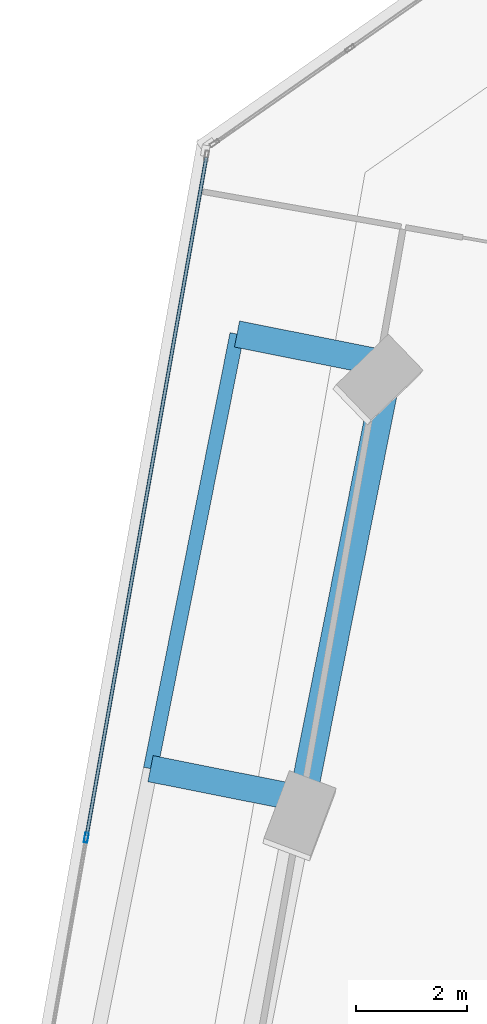
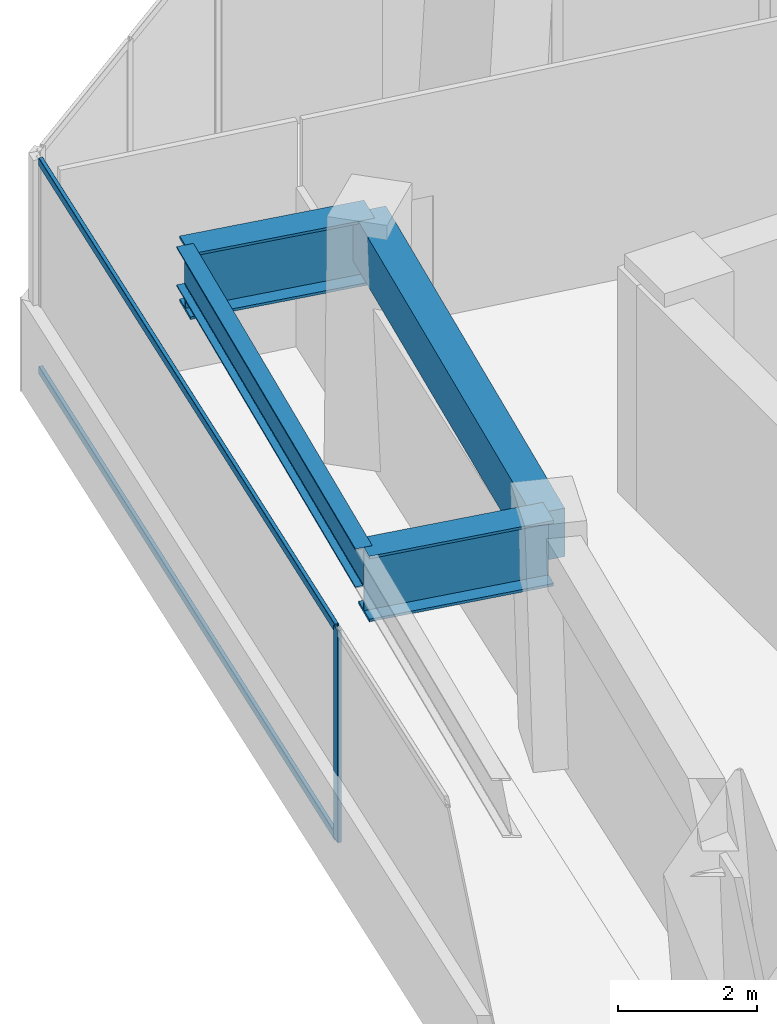
# One storey, part 6 of 24: 4 beams, 3 members, 1 element without a shape of its own.
"""IFC4 building model written with IfcOpenShell, lengths in metres."""

from ifc_helpers import new_model, si_unit, direction, frame, origin, origin_2d, place, context, subcontext, project, spatial, rectangle, hollow_rectangle, i_section, extrude, source, transform, mapped, material, material_profile, profile_set, type_object, element, aggregate, save


model = new_model("IFC4")

# Units and contexts
model_context = context("Model", 3, precision=1e-05, world=origin(), true_north=direction((0.0, 1.0)))
body_context = subcontext(model_context, "Body", "Model", "MODEL_VIEW")
ifc_project = project(units=[si_unit("LENGTHUNIT", "METRE"), si_unit("AREAUNIT", "SQUARE_METRE"), si_unit("VOLUMEUNIT", "CUBIC_METRE"), si_unit("PLANEANGLEUNIT", "RADIAN"), si_unit("MASSUNIT", "GRAM", prefix="KILO")], contexts=[model_context])

# Site, building, storey
site_placement = place(None, origin())
site = spatial("IfcSite", under=ifc_project, at=site_placement, CompositionType="ELEMENT")
building_placement = place(site_placement, origin())
building = spatial("IfcBuilding", under=site, at=building_placement, Name="Torre Montelarca", CompositionType="ELEMENT")
storey_placement = place(building_placement, frame((0.0, 0.0, 79.0)))
storey = spatial("IfcBuildingStorey", under=building, at=storey_placement, Name="L17", CompositionType="ELEMENT", Elevation=79.0)

# Beams
ifc_material_1 = material(Name="Concrete C55/67", Category="concrete")
ifc_material_profile_1 = material_profile(ifc_material_1, rectangle(XDim=0.5, YDim=0.85009765625, at=origin_2d()), Name="RCB500X850", Category="concrete")
ifc_profile_set_1 = profile_set([ifc_material_profile_1], Name="Concrete C55/67")
beam_type_1 = type_object("IfcBeamType", Name="BM-SP-RC850-EXT", PredefinedType="SPANDREL", material=ifc_profile_set_1)
shared_shape_1 = source(origin(), body_context, "Body", "SweptSolid", [
    extrude(rectangle(XDim=0.5, YDim=0.85009765625, at=origin_2d()), origin(), (0.0, 0.0, 1.0), 7.999755859375),
])
beam_1_placement = place(storey_placement, frame((4.973876953125, 35.287353515625, 3.534912109375), z_axis=(0.195071367562, 0.980789050488, 0.0), x_axis=(-0.980789050488, 0.195071367562, 0.0)))
element("IfcBeam", 1, at=beam_1_placement, inside=storey, type_object=beam_type_1, Name="L17 Grid Girder Y 32.0-40.0 at X=4.7", PredefinedType="SPANDREL", context=body_context, shape_type="MappedRepresentation", body=[
    mapped(shared_shape_1, transform((0.0, 0.0, 0.0), scale=1.0)),
])
ifc_material_2 = material(Name="Steel ASTM A992 Grade 50", Category="steel")
ifc_material_profile_2 = material_profile(ifc_material_2, i_section(OverallWidth=0.256103515625, OverallDepth=0.693115234375, WebThickness=0.014404296875, FlangeThickness=0.023681640625, FilletRadius=0.01806640625, at=origin_2d()), Name="W690X170", Category="steel")
ifc_profile_set_2 = profile_set([ifc_material_profile_2], Name="Steel ASTM A992 Grade 50")
beam_type_2 = type_object("IfcBeamType", Name="BM-G-W690-EXT", PredefinedType="BEAM", material=ifc_profile_set_2)
shared_shape_2 = source(origin(), body_context, "Body", "SweptSolid", [
    extrude(i_section(OverallWidth=0.256103515625, OverallDepth=0.693115234375, WebThickness=0.014404296875, FlangeThickness=0.023681640625, FilletRadius=0.01806640625, at=origin_2d()), origin(), (0.0, 0.0, 1.0), 8.0),
])
beam_2_placement = place(storey_placement, frame((2.2275390625, 35.83349609375, 3.614013671875), z_axis=(0.195100724051, 0.980783211253, 0.0), x_axis=(-0.980783211253, 0.195100724051, 0.0)))
element("IfcBeam", 2, at=beam_2_placement, inside=storey, type_object=beam_type_2, Name="L17 Sliding Tray Edge Girder West 32.0-40.0m (FLR)", PredefinedType="BEAM", context=body_context, shape_type="MappedRepresentation", body=[
    mapped(shared_shape_2, transform((0.0, 0.0, 0.0), scale=1.0)),
])
ifc_material_3 = material(Name="Steel ASTM A572 Grade 50", Category="steel")
ifc_material_profile_3 = material_profile(ifc_material_3, i_section(OverallWidth=0.47998046875, OverallDepth=1.14990234375, WebThickness=0.02197265625, FlangeThickness=0.044921875, at=origin_2d()), Name="PG1150X480X22X45", Category="steel")
ifc_profile_set_3 = profile_set([ifc_material_profile_3], Name="Steel ASTM A572 Grade 50")
beam_type_3 = type_object("IfcBeamType", Name="BM-CG-PG1400-EXT", PredefinedType="USERDEFINED", material=ifc_profile_set_3)
shared_shape_3 = source(origin(), body_context, "Body", "SweptSolid", [
    extrude(i_section(OverallWidth=0.47998046875, OverallDepth=1.14990234375, WebThickness=0.02197265625, FlangeThickness=0.044921875, at=origin_2d()), origin(), (0.0, 0.0, 1.0), 2.800048828125),
])
beam_3_placement = place(storey_placement, frame((4.973876953125, 35.287353515625, 3.385009765625), z_axis=(-0.980794708827, 0.195042916139, 0.0), x_axis=(-0.195042916139, -0.980794708827, 0.0)))
element("IfcBeam", 3, at=beam_3_placement, inside=storey, type_object=beam_type_3, Name="L17 Sliding Tray Cantilever Girder West Y=32.0m (FLR)", ObjectType="CANTILEVER GIRDER", PredefinedType="USERDEFINED", context=body_context, shape_type="MappedRepresentation", body=[
    mapped(shared_shape_3, transform((0.0, 0.0, 0.0), scale=1.0)),
])
shared_shape_4 = source(origin(), body_context, "Body", "SweptSolid", [
    extrude(i_section(OverallWidth=0.47998046875, OverallDepth=1.14990234375, WebThickness=0.02197265625, FlangeThickness=0.044921875, at=origin_2d()), origin(), (0.0, 0.0, 1.0), 2.7998046875),
])
beam_4_placement = place(storey_placement, frame((6.534423828125, 43.133544921875, 3.385009765625), z_axis=(-0.980791391562, 0.195059596633, 0.0), x_axis=(-0.195059596633, -0.980791391562, 0.0)))
element("IfcBeam", 4, at=beam_4_placement, inside=storey, type_object=beam_type_3, Name="L17 Sliding Tray Cantilever Girder West Y=40.0m (FLR)", ObjectType="CANTILEVER GIRDER", PredefinedType="USERDEFINED", context=body_context, shape_type="MappedRepresentation", body=[
    mapped(shared_shape_4, transform((0.0, 0.0, 0.0), scale=1.0)),
])

# Curtain wall, members
ifc_material_4 = material(Name="Insulated low-E laminated glass", Category="glass")
curtain_wall_type = type_object("IfcCurtainWallType", Name="CW-SYS-Z1", PredefinedType="USERDEFINED", material=ifc_material_4)
curtain_wall_placement = place(storey_placement, origin())
curtain_wall = element("IfcCurtainWall", 5, at=curtain_wall_placement, inside=storey, type_object=curtain_wall_type, Name="L17 Curtain Wall Run CW-T3-L17-E10-B1", ObjectType="UNITISED GLAZING", PredefinedType="USERDEFINED")
ifc_material_5 = material(Name="Anodised aluminium AA 6063-T6", Category="aluminium")
ifc_material_profile_4 = material_profile(ifc_material_5, hollow_rectangle(XDim=0.06494140625, YDim=0.139892578125, WallThickness=0.00390625, InnerFilletRadius=0.00390625, OuterFilletRadius=0.008056640625, at=origin_2d()), Name="ALU65X140X4", Category="aluminium")
ifc_profile_set_4 = profile_set([ifc_material_profile_4], Name="Anodised aluminium AA 6063-T6")
member_type_1 = type_object("IfcMemberType", Name="CWT-ALU140", PredefinedType="USERDEFINED", material=ifc_profile_set_4)
shared_shape_5 = source(origin(), body_context, "Body", "SweptSolid", [
    extrude(hollow_rectangle(XDim=0.06494140625, YDim=0.139892578125, WallThickness=0.00390625, InnerFilletRadius=0.00390625, OuterFilletRadius=0.008056640625, at=origin_2d()), origin(), (0.0, 0.0, 1.0), 12.436767578125),
])
member_1_placement = place(storey_placement, frame((3.234130859375, 46.866943359375, 0.032470703125), z_axis=(-0.173652068379, -0.984807066967, 0.0), x_axis=(0.984807066967, -0.173652068379, 0.0)))
member_1 = element("IfcMember", 6, at=member_1_placement, type_object=member_type_1, Name="CW transom 1.1", ObjectType="TRANSOM", PredefinedType="USERDEFINED", context=body_context, shape_type="MappedRepresentation", body=[
    mapped(shared_shape_5, transform((0.0, 0.0, 0.0), scale=1.0)),
])
member_2_placement = place(storey_placement, frame((3.234130859375, 46.866943359375, 3.6875), z_axis=(-0.173652068379, -0.984807066967, 0.0), x_axis=(0.984807066967, -0.173652068379, 0.0)))
member_2 = element("IfcMember", 7, at=member_2_placement, type_object=member_type_1, Name="CW transom 1.2", ObjectType="TRANSOM", PredefinedType="USERDEFINED", context=body_context, shape_type="MappedRepresentation", body=[
    mapped(shared_shape_5, transform((0.0, 0.0, 0.0), scale=1.0)),
])
ifc_material_profile_5 = material_profile(ifc_material_5, hollow_rectangle(XDim=0.06494140625, YDim=0.179931640625, WallThickness=0.00390625, InnerFilletRadius=0.00390625, OuterFilletRadius=0.008056640625, at=origin_2d()), Name="ALU65X180X4", Category="aluminium")
ifc_profile_set_5 = profile_set([ifc_material_profile_5], Name="Anodised aluminium AA 6063-T6")
member_type_2 = type_object("IfcMemberType", Name="CWM-ALU180", PredefinedType="MULLION", material=ifc_profile_set_5)
shared_shape_6 = source(origin(), body_context, "Body", "SweptSolid", [
    extrude(hollow_rectangle(XDim=0.06494140625, YDim=0.179931640625, WallThickness=0.00390625, InnerFilletRadius=0.00390625, OuterFilletRadius=0.008056640625, at=origin_2d()), origin(), (0.0, 0.0, 1.0), 3.719970703125),
])
member_3_placement = place(storey_placement, frame((1.06884765625, 34.587158203125, 0.0), z_axis=(0.0, 0.0, 1.0), x_axis=(0.984808126187, -0.173646061274, 0.0)))
member_3 = element("IfcMember", 8, at=member_3_placement, type_object=member_type_2, Name="CW mullion 2", PredefinedType="MULLION", context=body_context, shape_type="MappedRepresentation", body=[
    mapped(shared_shape_6, transform((0.0, 0.0, 0.0), scale=1.0)),
])
aggregate(curtain_wall, [member_3, member_1, member_2])

save(model, "model.ifc")
